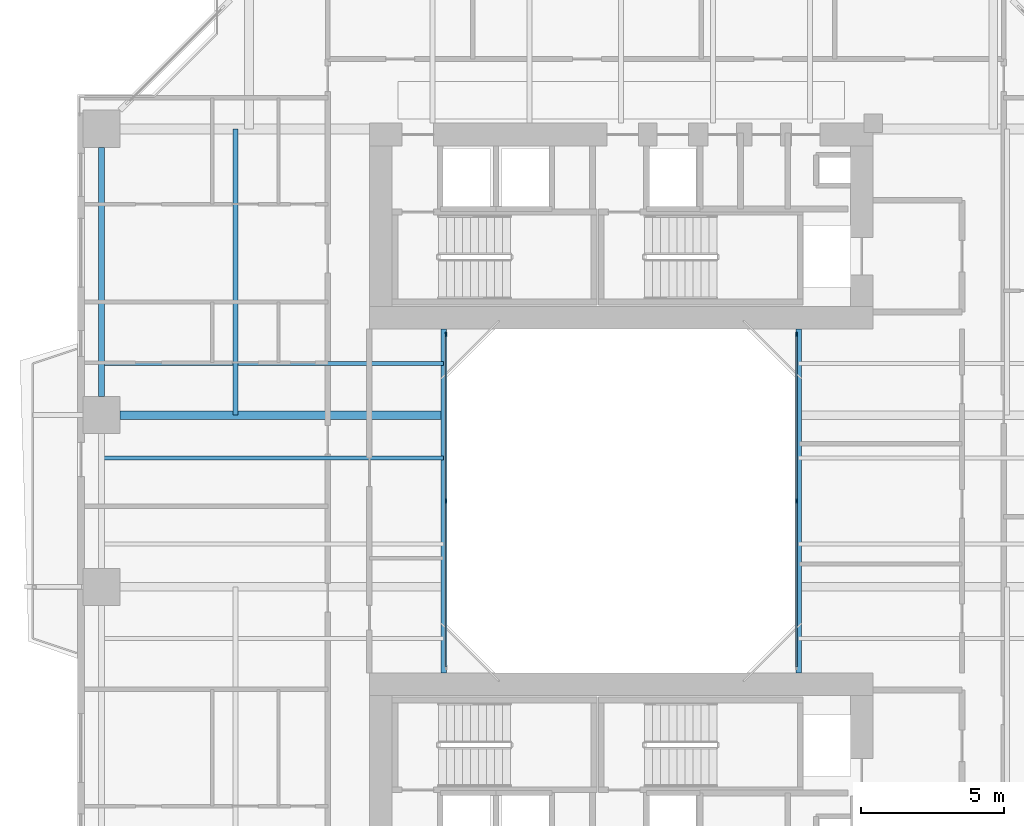
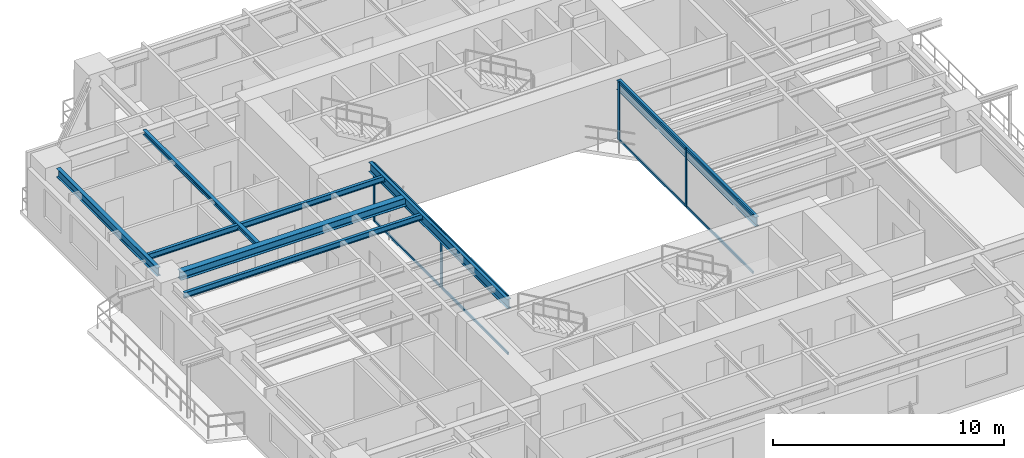
# One storey, part 4 of 23: 12 members, 7 beams, 2 elements without a shape of their own.
"""IFC4 building model written with IfcOpenShell, lengths in metres."""

from ifc_helpers import new_model, si_unit, direction, frame, origin, origin_2d, place, context, subcontext, project, spatial, rectangle, i_section, extrude, source, transform, mapped, material, layer, layer_set, material_profile, profile_set, type_object, element, aggregate, save


model = new_model("IFC4")

# Units and contexts
model_context = context("Model", 3, precision=1e-05, world=origin(), true_north=direction((0.0, 1.0)))
body_context = subcontext(model_context, "Body", "Model", "MODEL_VIEW")
ifc_project = project(units=[si_unit("LENGTHUNIT", "METRE"), si_unit("AREAUNIT", "SQUARE_METRE"), si_unit("VOLUMEUNIT", "CUBIC_METRE"), si_unit("PLANEANGLEUNIT", "RADIAN"), si_unit("MASSUNIT", "GRAM", prefix="KILO"), si_unit("THERMODYNAMICTEMPERATUREUNIT", "KELVIN"), si_unit("POWERUNIT", "WATT")], contexts=[model_context])

# Site, building, storey
site_placement = place(None, origin())
site = spatial("IfcSite", under=ifc_project, at=site_placement, CompositionType="ELEMENT")
building_placement = place(site_placement, origin())
building = spatial("IfcBuilding", under=site, at=building_placement, Name="Qiaomeng Ring Towers", CompositionType="ELEMENT")
storey_placement = place(building_placement, frame((0.0, 0.0, 60.0)))
storey = spatial("IfcBuildingStorey", under=building, at=storey_placement, Name="L16", CompositionType="ELEMENT", Elevation=60.0)

# Beams
ifc_material_1 = material(Name="Steel Q355B", Category="steel")
ifc_material_profile_1 = material_profile(ifc_material_1, i_section(OverallWidth=0.199951171875, OverallDepth=0.5, WebThickness=0.010009765625, FlangeThickness=0.01611328125, FilletRadius=0.02001953125, at=origin_2d()), Name="HN 500x200x10x16")
ifc_profile_set_1 = profile_set([ifc_material_profile_1], Name="Steel Q355B")
beam_type_1 = type_object("IfcBeamType", Name="STR-BM-HN500", PredefinedType="BEAM", material=ifc_profile_set_1)
shared_shape_1 = source(origin(), body_context, "Body", "SweptSolid", [
    extrude(i_section(OverallWidth=0.199951171875, OverallDepth=0.5, WebThickness=0.010009765625, FlangeThickness=0.01611328125, FilletRadius=0.02001953125, at=origin_2d()), origin(), (0.0, 0.0, 1.0), 12.0),
])
for number, where, z_axis, x_axis, name in (
    (1, (12.800048828125, 17.0, 2.820068359375), (0.0, 1.0, 0.0), (-1.0, 0.0, 0.0), "L16 beam STR-BM-L16-WELL-W"),
    (2, (25.199951171875, 17.0, 2.820068359375), (0.0, 1.0, 0.0), (-1.0, 0.0, 0.0), "L16 beam STR-BM-L16-WELL-E"),
):
    element("IfcBeam", number, at=place(storey_placement, frame(where, z_axis=z_axis, x_axis=x_axis)), inside=storey, type_object=beam_type_1, Name=name, PredefinedType="BEAM", context=body_context, shape_type="MappedRepresentation", body=[
        mapped(shared_shape_1, transform((0.0, 0.0, 0.0), x_axis=(1.0, 0.0, 0.0), y_axis=(0.0, 1.0, 0.0), z_axis=(0.0, 0.0, 1.0), scale=1.0)),
    ])
ifc_material_profile_2 = material_profile(ifc_material_1, i_section(OverallWidth=0.199951171875, OverallDepth=0.449951171875, WebThickness=0.009033203125, FlangeThickness=0.013916015625, FilletRadius=0.01806640625, at=origin_2d()), Name="HN 450x200x9x14")
ifc_profile_set_2 = profile_set([ifc_material_profile_2], Name="Steel Q355B")
beam_type_2 = type_object("IfcBeamType", Name="STR-BM-HN450", PredefinedType="SPANDREL", material=ifc_profile_set_2)
shared_shape_2 = source(origin(), body_context, "Body", "SweptSolid", [
    extrude(i_section(OverallWidth=0.199951171875, OverallDepth=0.449951171875, WebThickness=0.009033203125, FlangeThickness=0.013916015625, FilletRadius=0.01806640625, at=origin_2d()), origin(), (0.0, 0.0, 1.0), 8.7021484375),
])
beam_1_placement = place(storey_placement, frame((0.85009765625, 35.35107421875, 2.844970703125), z_axis=(0.0, -1.0, 0.0), x_axis=(1.0, 0.0, 0.0)))
element("IfcBeam", 3, at=beam_1_placement, inside=storey, type_object=beam_type_2, Name="L16 beam STR-SP-L16-T1-W4-W3", PredefinedType="SPANDREL", context=body_context, shape_type="MappedRepresentation", body=[
    mapped(shared_shape_2, transform((0.0, 0.0, 0.0), x_axis=(1.0, 0.0, 0.0), y_axis=(0.0, 1.0, 0.0), z_axis=(0.0, 0.0, 1.0), scale=1.0)),
])
ifc_material_profile_3 = material_profile(ifc_material_1, i_section(OverallWidth=0.300048828125, OverallDepth=0.43994140625, WebThickness=0.010986328125, FlangeThickness=0.01806640625, FilletRadius=0.02392578125, at=origin_2d()), Name="HM 440x300x11x18")
ifc_profile_set_3 = profile_set([ifc_material_profile_3], Name="Steel Q355B")
beam_type_3 = type_object("IfcBeamType", Name="STR-BM-HM440", PredefinedType="BEAM", material=ifc_profile_set_3)
shared_shape_3 = source(origin(), body_context, "Body", "SweptSolid", [
    extrude(i_section(OverallWidth=0.300048828125, OverallDepth=0.43994140625, WebThickness=0.010986328125, FlangeThickness=0.01806640625, FilletRadius=0.02392578125, at=origin_2d()), origin(), (0.0, 0.0, 1.0), 11.301025390625),
])
beam_2_placement = place(storey_placement, frame((1.4990234375, 26.0, 2.85009765625), z_axis=(1.0, 0.0, 0.0), x_axis=(0.0, 1.0, 0.0)))
element("IfcBeam", 4, at=beam_2_placement, inside=storey, type_object=beam_type_3, Name="L16 beam STR-BM-L16-T1-RAD-W3", PredefinedType="BEAM", context=body_context, shape_type="MappedRepresentation", body=[
    mapped(shared_shape_3, transform((0.0, 0.0, 0.0), x_axis=(1.0, 0.0, 0.0), y_axis=(0.0, 1.0, 0.0), z_axis=(0.0, 0.0, 1.0), scale=1.0)),
])
ifc_material_profile_4 = material_profile(ifc_material_1, i_section(OverallWidth=0.14990234375, OverallDepth=0.300048828125, WebThickness=0.006591796875, FlangeThickness=0.009033203125, FilletRadius=0.012939453125, at=origin_2d()), Name="HN 300x150x6.5x9")
ifc_profile_set_4 = profile_set([ifc_material_profile_4], Name="Steel Q355B")
beam_type_4 = type_object("IfcBeamType", Name="STR-BM-HN300", PredefinedType="JOIST", material=ifc_profile_set_4)
shared_shape_4 = source(origin(), body_context, "Body", "SweptSolid", [
    extrude(i_section(OverallWidth=0.14990234375, OverallDepth=0.300048828125, WebThickness=0.006591796875, FlangeThickness=0.009033203125, FilletRadius=0.012939453125, at=origin_2d()), origin(), (0.0, 0.0, 1.0), 11.949951171875),
])
for number, where, z_axis, x_axis, name in (
    (5, (0.85009765625, 24.5, 2.919921875), (1.0, 0.0, 0.0), (0.0, 1.0, 0.0), "L16 beam STR-JST-L16-T1W-3"),
    (6, (0.85009765625, 27.800048828125, 2.919921875), (1.0, 0.0, 0.0), (0.0, 1.0, 0.0), "L16 beam STR-JST-L16-T1W-4"),
):
    element("IfcBeam", number, at=place(storey_placement, frame(where, z_axis=z_axis, x_axis=x_axis)), inside=storey, type_object=beam_type_4, Name=name, PredefinedType="JOIST", context=body_context, shape_type="MappedRepresentation", body=[
        mapped(shared_shape_4, transform((0.0, 0.0, 0.0), x_axis=(1.0, 0.0, 0.0), y_axis=(0.0, 1.0, 0.0), z_axis=(0.0, 0.0, 1.0), scale=1.0)),
    ])
ifc_material_profile_5 = material_profile(ifc_material_1, i_section(OverallWidth=0.175048828125, OverallDepth=0.243896484375, WebThickness=0.007080078125, FlangeThickness=0.010986328125, FilletRadius=0.01611328125, at=origin_2d()), Name="HM 244x175x7x11")
ifc_profile_set_5 = profile_set([ifc_material_profile_5], Name="Steel Q355B")
beam_type_5 = type_object("IfcBeamType", Name="STR-BM-HM244", PredefinedType="JOIST", material=ifc_profile_set_5)
shared_shape_5 = source(origin(), body_context, "Body", "SweptSolid", [
    extrude(i_section(OverallWidth=0.175048828125, OverallDepth=0.243896484375, WebThickness=0.007080078125, FlangeThickness=0.010986328125, FilletRadius=0.01611328125, at=origin_2d()), origin(), (0.0, 0.0, 1.0), 10.0),
])
beam_3_placement = place(storey_placement, frame((5.52490234375, 26.0, 2.947998046875), z_axis=(0.0, 1.0, 0.0), x_axis=(-1.0, 0.0, 0.0)))
element("IfcBeam", 7, at=beam_3_placement, inside=storey, type_object=beam_type_5, Name="L16 beam STR-JST-L16-T1C-WN", PredefinedType="JOIST", context=body_context, shape_type="MappedRepresentation", body=[
    mapped(shared_shape_5, transform((0.0, 0.0, 0.0), x_axis=(1.0, 0.0, 0.0), y_axis=(0.0, 1.0, 0.0), z_axis=(0.0, 0.0, 1.0), scale=1.0)),
])

# Curtain wall, members
ifc_material_2 = material(Name="Fluorocarbon dark-grey aluminium", Category="aluminium")
ifc_layer = layer(ifc_material_2, 0.139892578125, Name="Fluorocarbon dark-grey aluminium")
ifc_layer_set = layer_set([ifc_layer], Name="Fluorocarbon dark-grey aluminium")
curtain_wall_type = type_object("IfcCurtainWallType", Name="ARC-CW-4", PredefinedType="NOTDEFINED", material=ifc_layer_set)
curtain_wall_1_placement = place(storey_placement, origin())
curtain_wall_1 = element("IfcCurtainWall", 8, at=curtain_wall_1_placement, inside=storey, type_object=curtain_wall_type, Name="L16 Curtain Wall CW4", PredefinedType="NOTDEFINED")
ifc_material_profile_6 = material_profile(ifc_material_2, rectangle(XDim=0.06494140625, YDim=0.159912109375, at=origin_2d()), Name="ALU MULL 65x160")
ifc_profile_set_6 = profile_set([ifc_material_profile_6], Name="Fluorocarbon dark-grey aluminium")
member_type_1 = type_object("IfcMemberType", Name="ARC-CWM-140", PredefinedType="MULLION", material=ifc_profile_set_6)
shared_shape_6 = source(origin(), body_context, "Body", "SweptSolid", [
    extrude(rectangle(XDim=0.06494140625, YDim=0.159912109375, at=origin_2d()), origin(), (0.0, 0.0, 1.0), 3.070068359375),
])
member_1_placement = place(storey_placement, frame((12.8798828125, 23.0, 0.0), z_axis=(0.0, 0.0, 1.0), x_axis=(-1.0, 0.0, 0.0)))
member_1 = element("IfcMember", 9, at=member_1_placement, type_object=member_type_1, Name="CW4 mullion 2", PredefinedType="MULLION", context=body_context, shape_type="MappedRepresentation", body=[
    mapped(shared_shape_6, transform((0.0, 0.0, 0.0), x_axis=(1.0, 0.0, 0.0), y_axis=(0.0, 1.0, 0.0), z_axis=(0.0, 0.0, 1.0), scale=1.0)),
])
member_2_placement = place(storey_placement, frame((12.8798828125, 28.8173828125, 0.0), z_axis=(0.0, 0.0, 1.0), x_axis=(-1.0, 0.0, 0.0)))
member_2 = element("IfcMember", 10, at=member_2_placement, type_object=member_type_1, Name="CW4 mullion 3", PredefinedType="MULLION", context=body_context, shape_type="MappedRepresentation", body=[
    mapped(shared_shape_6, transform((0.0, 0.0, 0.0), x_axis=(1.0, 0.0, 0.0), y_axis=(0.0, 1.0, 0.0), z_axis=(0.0, 0.0, 1.0), scale=1.0)),
])

curtain_wall_2_placement = place(storey_placement, origin())
curtain_wall_2 = element("IfcCurtainWall", 11, at=curtain_wall_2_placement, inside=storey, type_object=curtain_wall_type, Name="L16 Curtain Wall CW4", PredefinedType="NOTDEFINED")
member_3_placement = place(storey_placement, frame((25.1201171875, 23.0, 0.0), z_axis=(0.0, 0.0, 1.0), x_axis=(-1.0, 0.0, 0.0)))
member_3 = element("IfcMember", 12, at=member_3_placement, type_object=member_type_1, Name="CW4 mullion 2", PredefinedType="MULLION", context=body_context, shape_type="MappedRepresentation", body=[
    mapped(shared_shape_6, transform((0.0, 0.0, 0.0), x_axis=(1.0, 0.0, 0.0), y_axis=(0.0, 1.0, 0.0), z_axis=(0.0, 0.0, 1.0), scale=1.0)),
])
member_4_placement = place(storey_placement, frame((25.1201171875, 28.8173828125, 0.0), z_axis=(0.0, 0.0, 1.0), x_axis=(-1.0, 0.0, 0.0)))
member_4 = element("IfcMember", 13, at=member_4_placement, type_object=member_type_1, Name="CW4 mullion 3", PredefinedType="MULLION", context=body_context, shape_type="MappedRepresentation", body=[
    mapped(shared_shape_6, transform((0.0, 0.0, 0.0), x_axis=(1.0, 0.0, 0.0), y_axis=(0.0, 1.0, 0.0), z_axis=(0.0, 0.0, 1.0), scale=1.0)),
])

# Member
ifc_material_profile_7 = material_profile(ifc_material_2, rectangle(XDim=0.06494140625, YDim=0.1298828125, at=origin_2d()), Name="ALU TRAN 65x130")
ifc_profile_set_7 = profile_set([ifc_material_profile_7], Name="Fluorocarbon dark-grey aluminium")
member_type_2 = type_object("IfcMemberType", Name="ARC-CWT-120", PredefinedType="USERDEFINED", material=ifc_profile_set_7)
shared_shape_7 = source(origin(), body_context, "Body", "SweptSolid", [
    extrude(rectangle(XDim=0.06494140625, YDim=0.1298828125, at=origin_2d()), origin(), (0.0, 0.0, 1.0), 5.75244140625),
])
member_5_placement = place(storey_placement, frame((12.8798828125, 17.215087890625, 0.032470703125), z_axis=(0.0, 1.0, 0.0), x_axis=(-1.0, 0.0, 0.0)))
member_5 = element("IfcMember", 14, at=member_5_placement, type_object=member_type_2, Name="CW4 transom 1.1", ObjectType="TRANSOM", PredefinedType="USERDEFINED", context=body_context, shape_type="MappedRepresentation", body=[
    mapped(shared_shape_7, transform((0.0, 0.0, 0.0), x_axis=(1.0, 0.0, 0.0), y_axis=(0.0, 1.0, 0.0), z_axis=(0.0, 0.0, 1.0), scale=1.0)),
])

member_6_placement = place(storey_placement, frame((12.8798828125, 17.215087890625, 3.03759765625), z_axis=(0.0, 1.0, 0.0), x_axis=(-1.0, 0.0, 0.0)))
member_6 = element("IfcMember", 15, at=member_6_placement, type_object=member_type_2, Name="CW4 transom 1.2", ObjectType="TRANSOM", PredefinedType="USERDEFINED", context=body_context, shape_type="MappedRepresentation", body=[
    mapped(shared_shape_7, transform((0.0, 0.0, 0.0), x_axis=(1.0, 0.0, 0.0), y_axis=(0.0, 1.0, 0.0), z_axis=(0.0, 0.0, 1.0), scale=1.0)),
])

member_7_placement = place(storey_placement, frame((12.8798828125, 23.032470703125, 0.032470703125), z_axis=(0.0, 1.0, 0.0), x_axis=(-1.0, 0.0, 0.0)))
member_7 = element("IfcMember", 16, at=member_7_placement, type_object=member_type_2, Name="CW4 transom 2.1", ObjectType="TRANSOM", PredefinedType="USERDEFINED", context=body_context, shape_type="MappedRepresentation", body=[
    mapped(shared_shape_7, transform((0.0, 0.0, 0.0), x_axis=(1.0, 0.0, 0.0), y_axis=(0.0, 1.0, 0.0), z_axis=(0.0, 0.0, 1.0), scale=1.0)),
])

member_8_placement = place(storey_placement, frame((12.8798828125, 23.032470703125, 3.03759765625), z_axis=(0.0, 1.0, 0.0), x_axis=(-1.0, 0.0, 0.0)))
member_8 = element("IfcMember", 17, at=member_8_placement, type_object=member_type_2, Name="CW4 transom 2.2", ObjectType="TRANSOM", PredefinedType="USERDEFINED", context=body_context, shape_type="MappedRepresentation", body=[
    mapped(shared_shape_7, transform((0.0, 0.0, 0.0), x_axis=(1.0, 0.0, 0.0), y_axis=(0.0, 1.0, 0.0), z_axis=(0.0, 0.0, 1.0), scale=1.0)),
])

aggregate(curtain_wall_1, [member_1, member_2, member_5, member_6, member_7, member_8])

member_9_placement = place(storey_placement, frame((25.1201171875, 17.215087890625, 0.032470703125), z_axis=(0.0, 1.0, 0.0), x_axis=(-1.0, 0.0, 0.0)))
member_9 = element("IfcMember", 18, at=member_9_placement, type_object=member_type_2, Name="CW4 transom 1.1", ObjectType="TRANSOM", PredefinedType="USERDEFINED", context=body_context, shape_type="MappedRepresentation", body=[
    mapped(shared_shape_7, transform((0.0, 0.0, 0.0), x_axis=(1.0, 0.0, 0.0), y_axis=(0.0, 1.0, 0.0), z_axis=(0.0, 0.0, 1.0), scale=1.0)),
])

member_10_placement = place(storey_placement, frame((25.1201171875, 17.215087890625, 3.03759765625), z_axis=(0.0, 1.0, 0.0), x_axis=(-1.0, 0.0, 0.0)))
member_10 = element("IfcMember", 19, at=member_10_placement, type_object=member_type_2, Name="CW4 transom 1.2", ObjectType="TRANSOM", PredefinedType="USERDEFINED", context=body_context, shape_type="MappedRepresentation", body=[
    mapped(shared_shape_7, transform((0.0, 0.0, 0.0), x_axis=(1.0, 0.0, 0.0), y_axis=(0.0, 1.0, 0.0), z_axis=(0.0, 0.0, 1.0), scale=1.0)),
])

member_11_placement = place(storey_placement, frame((25.1201171875, 23.032470703125, 0.032470703125), z_axis=(0.0, 1.0, 0.0), x_axis=(-1.0, 0.0, 0.0)))
member_11 = element("IfcMember", 20, at=member_11_placement, type_object=member_type_2, Name="CW4 transom 2.1", ObjectType="TRANSOM", PredefinedType="USERDEFINED", context=body_context, shape_type="MappedRepresentation", body=[
    mapped(shared_shape_7, transform((0.0, 0.0, 0.0), x_axis=(1.0, 0.0, 0.0), y_axis=(0.0, 1.0, 0.0), z_axis=(0.0, 0.0, 1.0), scale=1.0)),
])

member_12_placement = place(storey_placement, frame((25.1201171875, 23.032470703125, 3.03759765625), z_axis=(0.0, 1.0, 0.0), x_axis=(-1.0, 0.0, 0.0)))
member_12 = element("IfcMember", 21, at=member_12_placement, type_object=member_type_2, Name="CW4 transom 2.2", ObjectType="TRANSOM", PredefinedType="USERDEFINED", context=body_context, shape_type="MappedRepresentation", body=[
    mapped(shared_shape_7, transform((0.0, 0.0, 0.0), x_axis=(1.0, 0.0, 0.0), y_axis=(0.0, 1.0, 0.0), z_axis=(0.0, 0.0, 1.0), scale=1.0)),
])

aggregate(curtain_wall_2, [member_3, member_4, member_9, member_10, member_11, member_12])

save(model, "model.ifc")
